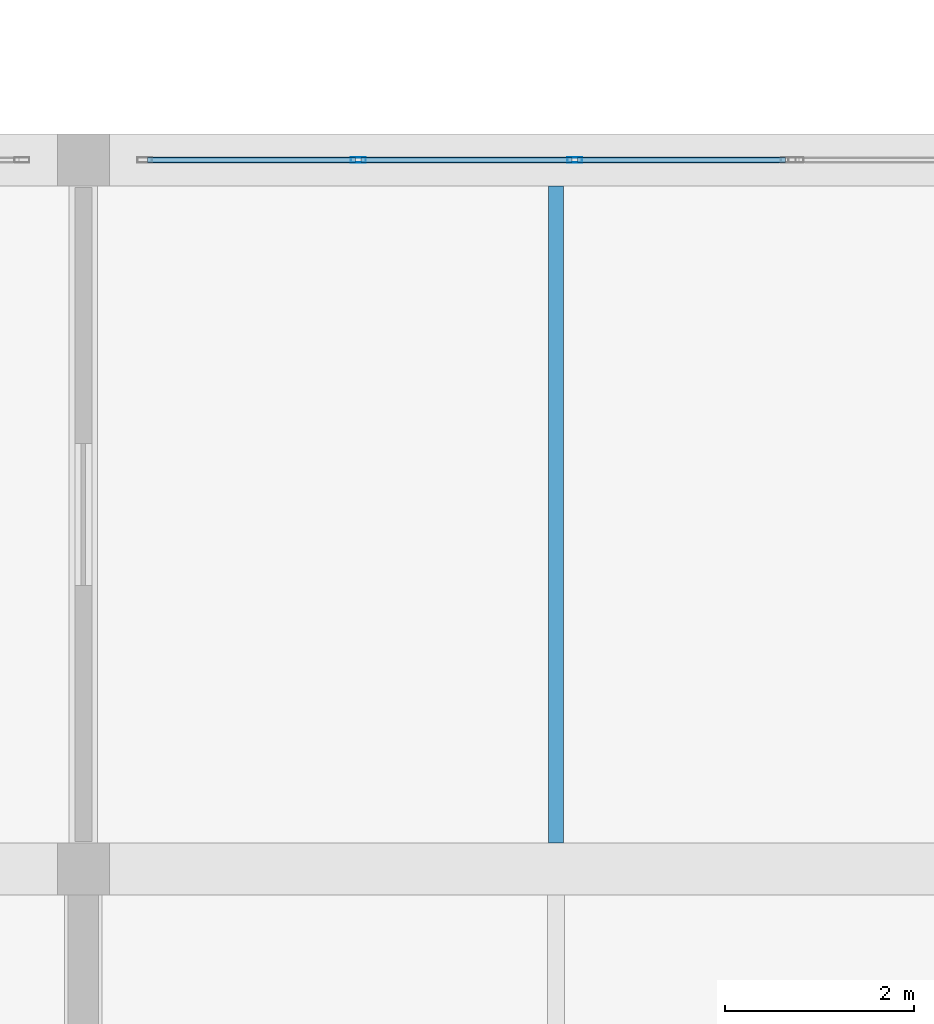
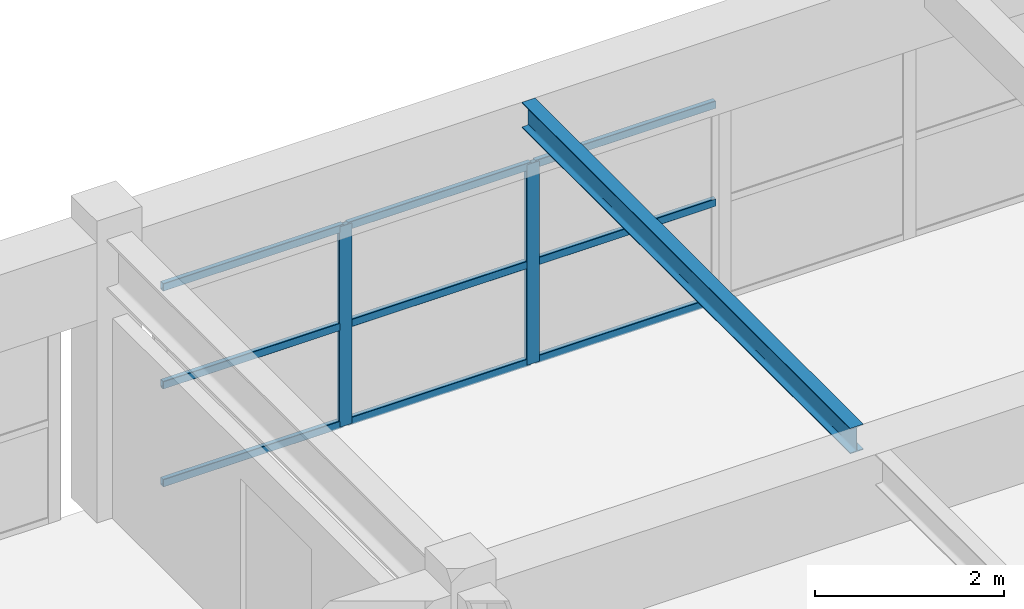
# One storey, part 27 of 101: 11 members, 1 beam, 1 element without a shape of its own.
"""IFC4 building model written with IfcOpenShell, lengths in metres."""

from ifc_helpers import new_model, si_unit, direction, frame, origin, origin_2d, place, context, subcontext, project, spatial, hollow_rectangle, i_section, extrude, material, material_profile, profile_set, type_object, element, aggregate, save


model = new_model("IFC4")

# Units and contexts
model_context = context("Model", 3, precision=1e-05, world=origin(), true_north=direction((0.0, 1.0)))
body_context = subcontext(model_context, "Body", "Model", "MODEL_VIEW")
ifc_project = project(units=[si_unit("LENGTHUNIT", "METRE"), si_unit("AREAUNIT", "SQUARE_METRE"), si_unit("VOLUMEUNIT", "CUBIC_METRE"), si_unit("PLANEANGLEUNIT", "RADIAN"), si_unit("MASSUNIT", "GRAM", prefix="KILO")], contexts=[model_context])

# Site, building, storey
site_placement = place(None, origin())
site = spatial("IfcSite", under=ifc_project, at=site_placement, CompositionType="ELEMENT")
building_placement = place(site_placement, origin())
building = spatial("IfcBuilding", under=site, at=building_placement, Name="Qasida Concert Hall", CompositionType="ELEMENT")
storey_placement = place(building_placement, frame((0.0, 0.0, 13.199951171875)))
storey = spatial("IfcBuildingStorey", under=building, at=storey_placement, Name="L03", CompositionType="ELEMENT", Elevation=13.199951171875)

# Beam
ifc_material_1 = material(Name="Steel S355J2", Category="steel")
ifc_material_profile_1 = material_profile(ifc_material_1, i_section(OverallWidth=0.159912109375, OverallDepth=0.330078125, WebThickness=0.007568359375, FlangeThickness=0.011474609375, FilletRadius=0.01806640625, at=origin_2d()), Name="IPE 330")
ifc_profile_set_1 = profile_set([ifc_material_profile_1], Name="Steel S355J2")
beam_type = type_object("IfcBeamType", Name="BM-J5", PredefinedType="JOIST", material=ifc_profile_set_1)
beam_placement = place(storey_placement, frame((20.0, 45.27490234375, 3.455078125), z_axis=(0.0, 1.0, 0.0), x_axis=(-1.0, 0.0, 0.0)))
element("IfcBeam", 1, at=beam_placement, inside=storey, type_object=beam_type, Name="L03 secondary joist 1652", PredefinedType="JOIST", context=body_context, shape_type="SweptSolid", body=[
    extrude(i_section(OverallWidth=0.159912109375, OverallDepth=0.330078125, WebThickness=0.007568359375, FlangeThickness=0.011474609375, FilletRadius=0.01806640625, at=origin_2d()), origin(), (0.0, 0.0, 1.0), 6.9501953125),
])

# Curtain wall, members
ifc_material_2 = material(Name="Architectural bronze-anodized aluminium and low-E glass", Category="aluminium")
curtain_wall_type = type_object("IfcCurtainWallType", Name="CW-09", PredefinedType="NOTDEFINED", material=ifc_material_2)
curtain_wall_placement = place(storey_placement, origin())
curtain_wall = element("IfcCurtainWall", 2, at=curtain_wall_placement, inside=storey, type_object=curtain_wall_type, Name="L03 curtain wall CW-09 0121", PredefinedType="NOTDEFINED")
ifc_material_3 = material(Name="Architectural bronze-anodized aluminium EN AW-6063", Category="aluminium")
ifc_material_profile_2 = material_profile(ifc_material_3, hollow_rectangle(XDim=0.06005859375, YDim=0.159912109375, WallThickness=0.00390625, InnerFilletRadius=0.00390625, OuterFilletRadius=0.008056640625, at=origin_2d()), Name="CWM 160x60x4")
ifc_profile_set_2 = profile_set([ifc_material_profile_2], Name="Architectural bronze-anodized aluminium EN AW-6063")
member_type_1 = type_object("IfcMemberType", Name="MB-CWM-3", PredefinedType="MULLION", material=ifc_profile_set_2)
member_1_placement = place(storey_placement, frame((17.909912109375, 52.5, 0.0), z_axis=(0.0, 0.0, 1.0), x_axis=(0.0, 1.0, 0.0)))
member_1 = element("IfcMember", 3, at=member_1_placement, type_object=member_type_1, Name="CW-09 mullion 2", PredefinedType="MULLION", context=body_context, shape_type="SweptSolid", body=[
    extrude(hollow_rectangle(XDim=0.06005859375, YDim=0.159912109375, WallThickness=0.00390625, InnerFilletRadius=0.00390625, OuterFilletRadius=0.008056640625, at=origin_2d()), origin(), (0.0, 0.0, 1.0), 2.590087890625),
])
member_2_placement = place(storey_placement, frame((20.199951171875, 52.5, 0.0), z_axis=(0.0, 0.0, 1.0), x_axis=(0.0, 1.0, 0.0)))
member_2 = element("IfcMember", 4, at=member_2_placement, type_object=member_type_1, Name="CW-09 mullion 3", PredefinedType="MULLION", context=body_context, shape_type="SweptSolid", body=[
    extrude(hollow_rectangle(XDim=0.06005859375, YDim=0.159912109375, WallThickness=0.00390625, InnerFilletRadius=0.00390625, OuterFilletRadius=0.008056640625, at=origin_2d()), origin(), (0.0, 0.0, 1.0), 2.590087890625),
])
ifc_material_profile_3 = material_profile(ifc_material_3, hollow_rectangle(XDim=0.06005859375, YDim=0.10009765625, WallThickness=0.00341796875, InnerFilletRadius=0.00341796875, OuterFilletRadius=0.007080078125, at=origin_2d()), Name="CWT 100x60x3.5")
ifc_profile_set_3 = profile_set([ifc_material_profile_3], Name="Architectural bronze-anodized aluminium EN AW-6063")
member_type_2 = type_object("IfcMemberType", Name="MB-CWT-3", PredefinedType="USERDEFINED", material=ifc_profile_set_3)
member_3_placement = place(storey_placement, frame((15.679931640625, 52.5, 0.030029296875), z_axis=(1.0, 0.0, 0.0), x_axis=(0.0, 1.0, 0.0)))
member_3 = element("IfcMember", 5, at=member_3_placement, type_object=member_type_2, Name="CW-09 transom 1.1", ObjectType="TRANSOM", PredefinedType="USERDEFINED", context=body_context, shape_type="SweptSolid", body=[
    extrude(hollow_rectangle(XDim=0.06005859375, YDim=0.10009765625, WallThickness=0.00341796875, InnerFilletRadius=0.00341796875, OuterFilletRadius=0.007080078125, at=origin_2d()), origin(), (0.0, 0.0, 1.0), 2.199951171875),
])
member_4_placement = place(storey_placement, frame((15.679931640625, 52.5, 1.295166015625), z_axis=(1.0, 0.0, 0.0), x_axis=(0.0, 1.0, 0.0)))
member_4 = element("IfcMember", 6, at=member_4_placement, type_object=member_type_2, Name="CW-09 transom 1.2", ObjectType="TRANSOM", PredefinedType="USERDEFINED", context=body_context, shape_type="SweptSolid", body=[
    extrude(hollow_rectangle(XDim=0.06005859375, YDim=0.10009765625, WallThickness=0.00341796875, InnerFilletRadius=0.00341796875, OuterFilletRadius=0.007080078125, at=origin_2d()), origin(), (0.0, 0.0, 1.0), 2.199951171875),
])
member_5_placement = place(storey_placement, frame((15.679931640625, 52.5, 2.56005859375), z_axis=(1.0, 0.0, 0.0), x_axis=(0.0, 1.0, 0.0)))
member_5 = element("IfcMember", 7, at=member_5_placement, type_object=member_type_2, Name="CW-09 transom 1.3", ObjectType="TRANSOM", PredefinedType="USERDEFINED", context=body_context, shape_type="SweptSolid", body=[
    extrude(hollow_rectangle(XDim=0.06005859375, YDim=0.10009765625, WallThickness=0.00341796875, InnerFilletRadius=0.00341796875, OuterFilletRadius=0.007080078125, at=origin_2d()), origin(), (0.0, 0.0, 1.0), 2.199951171875),
])
member_6_placement = place(storey_placement, frame((17.93994140625, 52.5, 0.030029296875), z_axis=(1.0, 0.0, 0.0), x_axis=(0.0, 1.0, 0.0)))
member_6 = element("IfcMember", 8, at=member_6_placement, type_object=member_type_2, Name="CW-09 transom 2.1", ObjectType="TRANSOM", PredefinedType="USERDEFINED", context=body_context, shape_type="SweptSolid", body=[
    extrude(hollow_rectangle(XDim=0.06005859375, YDim=0.10009765625, WallThickness=0.00341796875, InnerFilletRadius=0.00341796875, OuterFilletRadius=0.007080078125, at=origin_2d()), origin(), (0.0, 0.0, 1.0), 2.22998046875),
])
member_7_placement = place(storey_placement, frame((17.93994140625, 52.5, 1.295166015625), z_axis=(1.0, 0.0, 0.0), x_axis=(0.0, 1.0, 0.0)))
member_7 = element("IfcMember", 9, at=member_7_placement, type_object=member_type_2, Name="CW-09 transom 2.2", ObjectType="TRANSOM", PredefinedType="USERDEFINED", context=body_context, shape_type="SweptSolid", body=[
    extrude(hollow_rectangle(XDim=0.06005859375, YDim=0.10009765625, WallThickness=0.00341796875, InnerFilletRadius=0.00341796875, OuterFilletRadius=0.007080078125, at=origin_2d()), origin(), (0.0, 0.0, 1.0), 2.22998046875),
])
member_8_placement = place(storey_placement, frame((17.93994140625, 52.5, 2.56005859375), z_axis=(1.0, 0.0, 0.0), x_axis=(0.0, 1.0, 0.0)))
member_8 = element("IfcMember", 10, at=member_8_placement, type_object=member_type_2, Name="CW-09 transom 2.3", ObjectType="TRANSOM", PredefinedType="USERDEFINED", context=body_context, shape_type="SweptSolid", body=[
    extrude(hollow_rectangle(XDim=0.06005859375, YDim=0.10009765625, WallThickness=0.00341796875, InnerFilletRadius=0.00341796875, OuterFilletRadius=0.007080078125, at=origin_2d()), origin(), (0.0, 0.0, 1.0), 2.22998046875),
])
member_9_placement = place(storey_placement, frame((20.22998046875, 52.5, 0.030029296875), z_axis=(1.0, 0.0, 0.0), x_axis=(0.0, 1.0, 0.0)))
member_9 = element("IfcMember", 11, at=member_9_placement, type_object=member_type_2, Name="CW-09 transom 3.1", ObjectType="TRANSOM", PredefinedType="USERDEFINED", context=body_context, shape_type="SweptSolid", body=[
    extrude(hollow_rectangle(XDim=0.06005859375, YDim=0.10009765625, WallThickness=0.00341796875, InnerFilletRadius=0.00341796875, OuterFilletRadius=0.007080078125, at=origin_2d()), origin(), (0.0, 0.0, 1.0), 2.199951171875),
])
member_10_placement = place(storey_placement, frame((20.22998046875, 52.5, 1.295166015625), z_axis=(1.0, 0.0, 0.0), x_axis=(0.0, 1.0, 0.0)))
member_10 = element("IfcMember", 12, at=member_10_placement, type_object=member_type_2, Name="CW-09 transom 3.2", ObjectType="TRANSOM", PredefinedType="USERDEFINED", context=body_context, shape_type="SweptSolid", body=[
    extrude(hollow_rectangle(XDim=0.06005859375, YDim=0.10009765625, WallThickness=0.00341796875, InnerFilletRadius=0.00341796875, OuterFilletRadius=0.007080078125, at=origin_2d()), origin(), (0.0, 0.0, 1.0), 2.199951171875),
])
member_11_placement = place(storey_placement, frame((20.22998046875, 52.5, 2.56005859375), z_axis=(1.0, 0.0, 0.0), x_axis=(0.0, 1.0, 0.0)))
member_11 = element("IfcMember", 13, at=member_11_placement, type_object=member_type_2, Name="CW-09 transom 3.3", ObjectType="TRANSOM", PredefinedType="USERDEFINED", context=body_context, shape_type="SweptSolid", body=[
    extrude(hollow_rectangle(XDim=0.06005859375, YDim=0.10009765625, WallThickness=0.00341796875, InnerFilletRadius=0.00341796875, OuterFilletRadius=0.007080078125, at=origin_2d()), origin(), (0.0, 0.0, 1.0), 2.199951171875),
])
aggregate(curtain_wall, [member_1, member_2, member_3, member_4, member_5, member_6, member_7, member_8, member_9, member_10, member_11])

save(model, "model.ifc")
